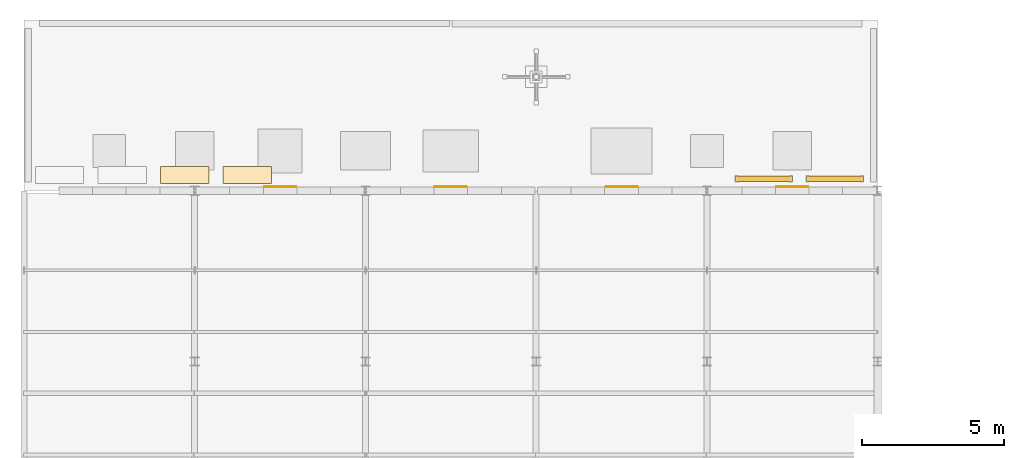
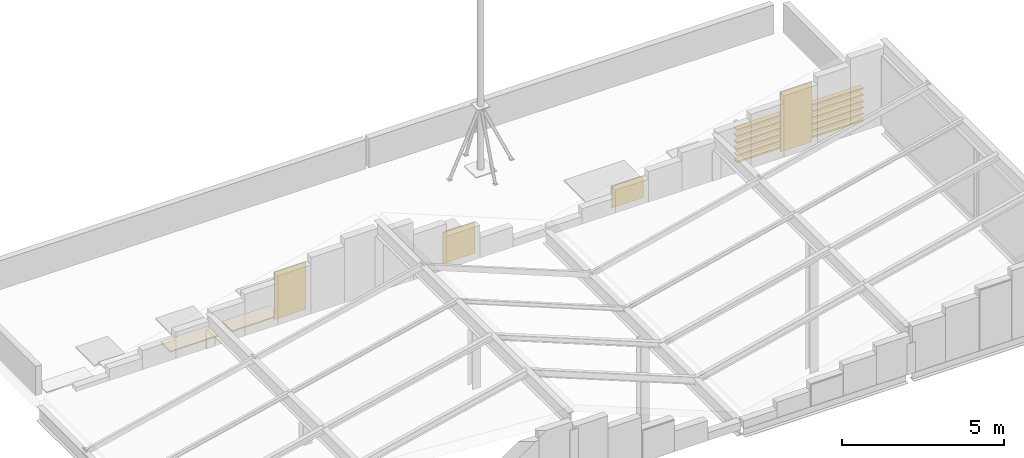
# One storey, part 74 of 74: 12 shading devices, 6 coverings.
"""IFC4 building model written with IfcOpenShell, lengths in metres."""

from ifc_helpers import new_model, si_unit, direction, frame, origin, origin_2d, place, context, subcontext, project, spatial, polyline, rectangle, outline, extrude, material, layer, layer_set, type_object, element, save


model = new_model("IFC4")

# Units and contexts
model_context = context("Model", 3, precision=1e-05, world=origin(), true_north=direction((0.0, 1.0)))
body_context = subcontext(model_context, "Body", "Model", "MODEL_VIEW")
ifc_project = project(units=[si_unit("LENGTHUNIT", "METRE"), si_unit("AREAUNIT", "SQUARE_METRE"), si_unit("VOLUMEUNIT", "CUBIC_METRE"), si_unit("PLANEANGLEUNIT", "RADIAN"), si_unit("MASSUNIT", "GRAM", prefix="KILO")], contexts=[model_context])

# Site, building, storey
site_placement = place(None, origin())
site = spatial("IfcSite", under=ifc_project, at=site_placement, CompositionType="ELEMENT")
building_placement = place(site_placement, origin())
building = spatial("IfcBuilding", under=site, at=building_placement, Name="Siltcreek Boulevard Central Fire Station", CompositionType="ELEMENT")
storey_placement = place(building_placement, frame((0.0, 0.0, 25.199951171875)))
storey = spatial("IfcBuildingStorey", under=building, at=storey_placement, Name="RF", CompositionType="ELEMENT", Elevation=25.199951171875)

# Coverings
ifc_material_1 = material(Name="Clear-sealed Western Red Cedar gable cladding", Category="wood")
ifc_layer_1 = layer(ifc_material_1, 0.034912109375, Name="Clear-sealed Western Red Cedar gable cladding")
ifc_layer_set_1 = layer_set([ifc_layer_1], Name="Clear-sealed Western Red Cedar gable cladding")
covering_type_1 = type_object("IfcCoveringType", Name="COV_CLAD_CEDAR", PredefinedType="CLADDING", material=ifc_layer_set_1)
covering_1_placement = place(storey_placement, frame((133.199951171875, 106.347900390625, -3.56982421875), z_axis=(0.0, 0.0, 1.0), x_axis=(-1.0, 0.0, 0.0)))
element("IfcCovering", 1, at=covering_1_placement, inside=storey, type_object=covering_type_1, Name="Gable facade cladding panel CL-066", PredefinedType="CLADDING", context=body_context, shape_type="SweptSolid", body=[
    extrude(rectangle(XDim=1.1220703125, YDim=0.034912109375, at=origin_2d()), origin(), (0.0, 0.0, 1.0), 1.785400390625),
])
covering_2_placement = place(storey_placement, frame((139.199951171875, 106.347900390625, -3.570068359375), z_axis=(0.0, 0.0, 1.0), x_axis=(-1.0, 0.0, 0.0)))
element("IfcCovering", 2, at=covering_2_placement, inside=storey, type_object=covering_type_1, Name="Gable facade cladding panel CL-068", PredefinedType="CLADDING", context=body_context, shape_type="SweptSolid", body=[
    extrude(rectangle(XDim=1.1220703125, YDim=0.034912109375, at=origin_2d()), origin(), (0.0, 0.0, 1.0), 1.17431640625),
])
covering_3_placement = place(storey_placement, frame((145.199951171875, 106.347900390625, -3.56982421875), z_axis=(0.0, 0.0, 1.0), x_axis=(-1.0, 0.0, 0.0)))
element("IfcCovering", 3, at=covering_3_placement, inside=storey, type_object=covering_type_1, Name="Gable facade cladding panel CL-071", PredefinedType="CLADDING", context=body_context, shape_type="SweptSolid", body=[
    extrude(rectangle(XDim=1.1220703125, YDim=0.034912109375, at=origin_2d()), origin(), (0.0, 0.0, 1.0), 0.804931640625),
])
covering_4_placement = place(storey_placement, frame((151.199951171875, 106.347900390625, -3.56982421875), z_axis=(0.0, 0.0, 1.0), x_axis=(-1.0, 0.0, 0.0)))
element("IfcCovering", 4, at=covering_4_placement, inside=storey, type_object=covering_type_1, Name="Gable facade cladding panel CL-072", PredefinedType="CLADDING", context=body_context, shape_type="SweptSolid", body=[
    extrude(rectangle(XDim=1.1220703125, YDim=0.034912109375, at=origin_2d()), origin(), (0.0, 0.0, 1.0), 2.2548828125),
])
ifc_material_2 = material(Name="White standing-seam fluoropolymer aluminum roofing", Category="aluminium")
ifc_layer_2 = layer(ifc_material_2, 0.044921875, Name="White standing-seam fluoropolymer aluminum roofing")
ifc_layer_set_2 = layer_set([ifc_layer_2], Name="White standing-seam fluoropolymer aluminum roofing")
covering_type_2 = type_object("IfcCoveringType", Name="COV_ROOF_SEAM", PredefinedType="ROOFING", material=ifc_layer_set_2)
covering_5_placement = place(storey_placement, frame((0.0, 0.0, -3.599853515625)))
element("IfcCovering", 5, at=covering_5_placement, inside=storey, type_object=covering_type_2, Name="Roof weatherproofing membrane covering 07", PredefinedType="ROOFING", context=body_context, shape_type="SweptSolid", body=[
    extrude(outline(polyline([(129.0, 106.449951171875), (130.699951171875, 106.449951171875), (130.699951171875, 107.050048828125), (129.0, 107.050048828125), (129.0, 106.449951171875)])), origin(), (0.0, 0.0, 1.0), 0.044921875),
])
covering_6_placement = place(storey_placement, frame((0.0, 0.0, -3.599853515625)))
element("IfcCovering", 6, at=covering_6_placement, inside=storey, type_object=covering_type_2, Name="Roof weatherproofing membrane covering 08", PredefinedType="ROOFING", context=body_context, shape_type="SweptSolid", body=[
    extrude(outline(polyline([(131.199951171875, 106.449951171875), (132.89990234375, 106.449951171875), (132.89990234375, 107.050048828125), (131.199951171875, 107.050048828125), (131.199951171875, 106.449951171875)])), origin(), (0.0, 0.0, 1.0), 0.044921875),
])

# Shading devices
ifc_material_3 = material(Name="Frey sage-green acoustic aluminum louvre screen", Category="aluminium")
ifc_layer_3 = layer(ifc_material_3, 0.06005859375, Name="Frey sage-green acoustic aluminum louvre screen")
ifc_layer_set_3 = layer_set([ifc_layer_3], Name="Frey sage-green acoustic aluminum louvre screen")
shading_device_type = type_object("IfcShadingDeviceType", Name="SHD_LOUVRE", PredefinedType="JALOUSIE", material=ifc_layer_set_3)
for number, where, z_axis, x_axis, name in (
    (7, (152.699951171875, 106.6201171875, -3.60009765625), (0.0, 0.0, 1.0), (1.0, 0.0, 0.0), "Rooftop heat-pump acoustic louvre blade V5.1.1"),
    (8, (152.699951171875, 106.6201171875, -3.35986328125), (0.0, 0.0, 1.0), (1.0, 0.0, 0.0), "Rooftop heat-pump acoustic louvre blade V5.1.2"),
    (9, (152.699951171875, 106.6201171875, -3.119873046875), (0.0, 0.0, 1.0), (1.0, 0.0, 0.0), "Rooftop heat-pump acoustic louvre blade V5.1.3"),
    (10, (152.699951171875, 106.6201171875, -2.8798828125), (0.0, 0.0, 1.0), (1.0, 0.0, 0.0), "Rooftop heat-pump acoustic louvre blade V5.1.4"),
    (11, (152.699951171875, 106.6201171875, -2.639892578125), (0.0, 0.0, 1.0), (1.0, 0.0, 0.0), "Rooftop heat-pump acoustic louvre blade V5.1.5"),
    (12, (152.699951171875, 106.6201171875, -2.39990234375), (0.0, 0.0, 1.0), (1.0, 0.0, 0.0), "Rooftop heat-pump acoustic louvre blade V5.1.6"),
    (13, (150.199951171875, 106.6201171875, -3.60009765625), (0.0, 0.0, 1.0), (1.0, 0.0, 0.0), "Rooftop heat-pump acoustic louvre blade V5.2.1"),
    (14, (150.199951171875, 106.6201171875, -3.35986328125), (0.0, 0.0, 1.0), (1.0, 0.0, 0.0), "Rooftop heat-pump acoustic louvre blade V5.2.2"),
    (15, (150.199951171875, 106.6201171875, -3.119873046875), (0.0, 0.0, 1.0), (1.0, 0.0, 0.0), "Rooftop heat-pump acoustic louvre blade V5.2.3"),
    (16, (150.199951171875, 106.6201171875, -2.8798828125), (0.0, 0.0, 1.0), (1.0, 0.0, 0.0), "Rooftop heat-pump acoustic louvre blade V5.2.4"),
    (17, (150.199951171875, 106.6201171875, -2.639892578125), (0.0, 0.0, 1.0), (1.0, 0.0, 0.0), "Rooftop heat-pump acoustic louvre blade V5.2.5"),
    (18, (150.199951171875, 106.6201171875, -2.39990234375), (0.0, 0.0, 1.0), (1.0, 0.0, 0.0), "Rooftop heat-pump acoustic louvre blade V5.2.6"),
):
    element("IfcShadingDevice", number, at=place(storey_placement, frame(where, z_axis=z_axis, x_axis=x_axis)), inside=storey, type_object=shading_device_type, Name=name, PredefinedType="JALOUSIE", context=body_context, shape_type="SweptSolid", body=[
        extrude(rectangle(XDim=2.0, YDim=0.179931640625, at=origin_2d()), origin(), (0.0, 0.0, 1.0), 0.06005859375),
    ])

save(model, "model.ifc")
